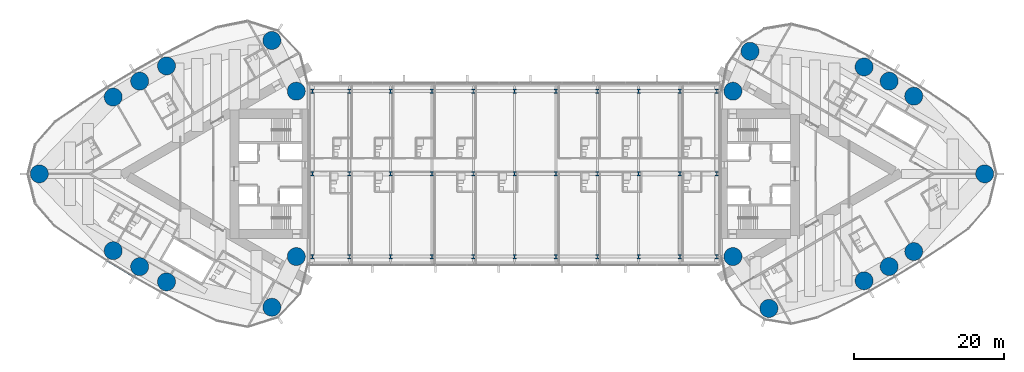
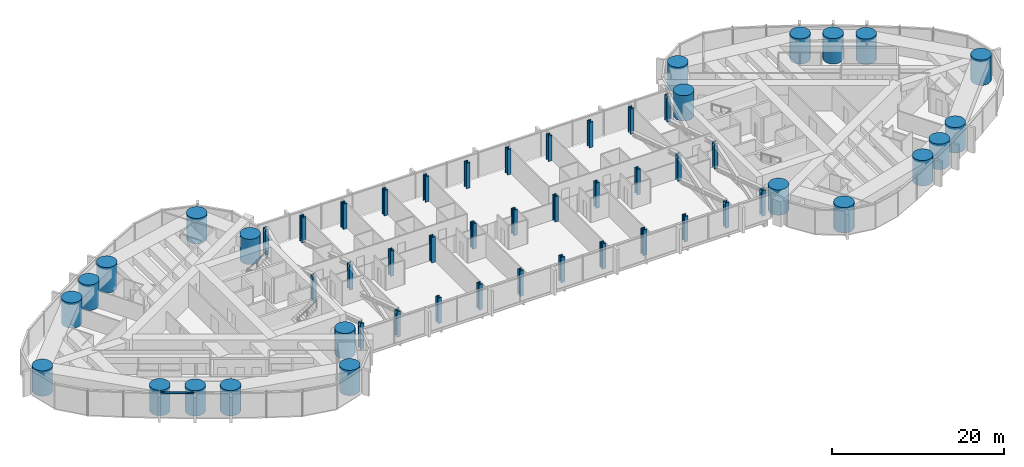
# One storey, part 1 of 22: 55 columns, 1 member, 1 element without a shape of its own.
"""IFC4 building model written with IfcOpenShell, lengths in metres."""

from ifc_helpers import new_model, si_unit, direction, frame, origin, origin_2d, place, context, subcontext, project, spatial, rectangle, circle, i_section, extrude, material, material_profile, profile_set, type_object, element, aggregate, save


model = new_model("IFC4")

# Units and contexts
model_context = context("Model", 3, precision=1e-05, world=origin(), true_north=direction((0.0, 1.0)))
body_context = subcontext(model_context, "Body", "Model", "MODEL_VIEW")
ifc_project = project(units=[si_unit("LENGTHUNIT", "METRE"), si_unit("AREAUNIT", "SQUARE_METRE"), si_unit("VOLUMEUNIT", "CUBIC_METRE"), si_unit("PLANEANGLEUNIT", "RADIAN"), si_unit("MASSUNIT", "GRAM", prefix="KILO")], contexts=[model_context])

# Site, building, storey
site_placement = place(None, origin())
site = spatial("IfcSite", under=ifc_project, at=site_placement, CompositionType="ELEMENT")
building_placement = place(site_placement, origin())
building = spatial("IfcBuilding", under=site, at=building_placement, Name="Lancet Gate Hotel", CompositionType="ELEMENT")
storey_placement = place(building_placement, frame((0.0, 0.0, 226.10009765625)))
storey = spatial("IfcBuildingStorey", under=building, at=storey_placement, Name="L60", CompositionType="ELEMENT", Elevation=226.10009765625)

# Columns
ifc_material_1 = material(Name="Steel S460", Category="steel")
ifc_material_profile_1 = material_profile(ifc_material_1, i_section(OverallWidth=0.47607421875, OverallDepth=0.60009765625, WebThickness=0.10009765625, FlangeThickness=0.139892578125, FilletRadius=0.02001953125, at=origin_2d()), Name="HD 400x1299")
ifc_profile_set_1 = profile_set([ifc_material_profile_1], Name="Steel S460")
column_type_1 = type_object("IfcColumnType", Name="Block column HD 400x1299", PredefinedType="COLUMN", material=ifc_profile_set_1)
for number, where, z_axis, x_axis, name in (
    (1, (-26.89990234375, -11.0, 0.0), (0.0, 0.0, 1.0), (1.0, 0.0, 0.0), "Block column S0 L60"),
    (2, (-22.0, -11.0, 0.0), (0.0, 0.0, 1.0), (1.0, 0.0, 0.0), "Block column S1 L60"),
    (3, (-16.5, -11.0, 0.0), (0.0, 0.0, 1.0), (1.0, 0.0, 0.0), "Block column S2 L60"),
    (4, (-11.0, -11.0, 0.0), (0.0, 0.0, 1.0), (1.0, 0.0, 0.0), "Block column S3 L60"),
    (5, (-5.5, -11.0, 0.0), (0.0, 0.0, 1.0), (1.0, 0.0, 0.0), "Block column S4 L60"),
    (6, (0.0, -11.0, 0.0), (0.0, 0.0, 1.0), (1.0, 0.0, 0.0), "Block column S5 L60"),
    (7, (5.5, -11.0, 0.0), (0.0, 0.0, 1.0), (1.0, 0.0, 0.0), "Block column S6 L60"),
    (8, (11.0, -11.0, 0.0), (0.0, 0.0, 1.0), (1.0, 0.0, 0.0), "Block column S7 L60"),
    (9, (16.5, -11.0, 0.0), (0.0, 0.0, 1.0), (1.0, 0.0, 0.0), "Block column S8 L60"),
    (10, (22.0, -11.0, 0.0), (0.0, 0.0, 1.0), (1.0, 0.0, 0.0), "Block column S9 L60"),
    (11, (26.89990234375, -11.0, 0.0), (0.0, 0.0, 1.0), (1.0, 0.0, 0.0), "Block column S10 L60"),
    (12, (-26.89990234375, 0.0, 0.0), (0.0, 0.0, 1.0), (1.0, 0.0, 0.0), "Block column M0 L60"),
    (13, (-22.0, 0.0, 0.0), (0.0, 0.0, 1.0), (1.0, 0.0, 0.0), "Block column M1 L60"),
    (14, (-16.5, 0.0, 0.0), (0.0, 0.0, 1.0), (1.0, 0.0, 0.0), "Block column M2 L60"),
    (15, (-11.0, 0.0, 0.0), (0.0, 0.0, 1.0), (1.0, 0.0, 0.0), "Block column M3 L60"),
    (16, (-5.5, 0.0, 0.0), (0.0, 0.0, 1.0), (1.0, 0.0, 0.0), "Block column M4 L60"),
    (17, (0.0, 0.0, 0.0), (0.0, 0.0, 1.0), (1.0, 0.0, 0.0), "Block column M5 L60"),
    (18, (5.5, 0.0, 0.0), (0.0, 0.0, 1.0), (1.0, 0.0, 0.0), "Block column M6 L60"),
    (19, (11.0, 0.0, 0.0), (0.0, 0.0, 1.0), (1.0, 0.0, 0.0), "Block column M7 L60"),
    (20, (16.5, 0.0, 0.0), (0.0, 0.0, 1.0), (1.0, 0.0, 0.0), "Block column M8 L60"),
    (21, (22.0, 0.0, 0.0), (0.0, 0.0, 1.0), (1.0, 0.0, 0.0), "Block column M9 L60"),
    (22, (26.89990234375, 0.0, 0.0), (0.0, 0.0, 1.0), (1.0, 0.0, 0.0), "Block column M10 L60"),
    (23, (-26.89990234375, 11.0, 0.0), (0.0, 0.0, 1.0), (1.0, 0.0, 0.0), "Block column N0 L60"),
    (24, (-22.0, 11.0, 0.0), (0.0, 0.0, 1.0), (1.0, 0.0, 0.0), "Block column N1 L60"),
    (25, (-16.5, 11.0, 0.0), (0.0, 0.0, 1.0), (1.0, 0.0, 0.0), "Block column N2 L60"),
    (26, (-11.0, 11.0, 0.0), (0.0, 0.0, 1.0), (1.0, 0.0, 0.0), "Block column N3 L60"),
    (27, (-5.5, 11.0, 0.0), (0.0, 0.0, 1.0), (1.0, 0.0, 0.0), "Block column N4 L60"),
    (28, (0.0, 11.0, 0.0), (0.0, 0.0, 1.0), (1.0, 0.0, 0.0), "Block column N5 L60"),
    (29, (5.5, 11.0, 0.0), (0.0, 0.0, 1.0), (1.0, 0.0, 0.0), "Block column N6 L60"),
    (30, (11.0, 11.0, 0.0), (0.0, 0.0, 1.0), (1.0, 0.0, 0.0), "Block column N7 L60"),
    (31, (16.5, 11.0, 0.0), (0.0, 0.0, 1.0), (1.0, 0.0, 0.0), "Block column N8 L60"),
    (32, (22.0, 11.0, 0.0), (0.0, 0.0, 1.0), (1.0, 0.0, 0.0), "Block column N9 L60"),
    (33, (26.89990234375, 11.0, 0.0), (0.0, 0.0, 1.0), (1.0, 0.0, 0.0), "Block column N10 L60"),
):
    element("IfcColumn", number, at=place(storey_placement, frame(where, z_axis=z_axis, x_axis=x_axis)), inside=storey, type_object=column_type_1, Name=name, PredefinedType="COLUMN", context=body_context, shape_type="SweptSolid", body=[
        extrude(i_section(OverallWidth=0.47607421875, OverallDepth=0.60009765625, WebThickness=0.10009765625, FlangeThickness=0.139892578125, FilletRadius=0.02001953125, at=origin_2d()), origin(), (0.0, 0.0, 1.0), 3.599853515625),
    ])
ifc_material_2 = material(Name="Concrete C50/60", Category="concrete")
ifc_material_profile_2 = material_profile(ifc_material_2, circle(Radius=1.199951171875, at=origin_2d()), Name="RC D2400")
ifc_profile_set_2 = profile_set([ifc_material_profile_2], Name="Concrete C50/60")
column_type_2 = type_object("IfcColumnType", Name="Perimeter column RC D2400", PredefinedType="COLUMN", material=ifc_profile_set_2)
for number, where, z_axis, x_axis, name in (
    (34, (-63.234375, 0.0, 0.0), (0.0, 0.0, 1.0), (1.0, 0.0, 0.0), "T1 column CA L60"),
    (35, (-32.301025390625, -17.745361328125, 0.0), (0.0, 0.0, 1.0), (1.0, 0.0, 0.0), "T1 column CN L60"),
    (36, (-32.301025390625, 17.745361328125, 0.0), (0.0, 0.0, 1.0), (1.0, 0.0, 0.0), "T1 column CS L60"),
    (37, (-29.050048828125, -11.0, 0.0), (0.0, 0.0, 1.0), (1.0, 0.0, 0.0), "T1 column IN L60"),
    (38, (-29.050048828125, 11.0, 0.0), (0.0, 0.0, 1.0), (1.0, 0.0, 0.0), "T1 column IS L60"),
    (39, (-53.40771484375, -10.218994140625, 0.0), (0.0, 0.0, 1.0), (1.0, 0.0, 0.0), "T1 column ON1 L60"),
    (40, (-49.89013671875, -12.340087890625, 0.0), (0.0, 0.0, 1.0), (1.0, 0.0, 0.0), "T1 column ON2 L60"),
    (41, (-46.316650390625, -14.365478515625, 0.0), (0.0, 0.0, 1.0), (1.0, 0.0, 0.0), "T1 column ON3 L60"),
    (42, (-46.316650390625, 14.365478515625, 0.0), (0.0, 0.0, 1.0), (1.0, 0.0, 0.0), "T1 column OS1 L60"),
    (43, (-49.89013671875, 12.340087890625, 0.0), (0.0, 0.0, 1.0), (1.0, 0.0, 0.0), "T1 column OS2 L60"),
    (44, (-53.40771484375, 10.218994140625, 0.0), (0.0, 0.0, 1.0), (1.0, 0.0, 0.0), "T1 column OS3 L60"),
    (45, (62.54150390625, 0.0, 0.0), (0.0, 0.0, 1.0), (1.0, 0.0, 0.0), "T2 column CA L60"),
    (46, (31.328369140625, 16.310791015625, 0.0), (0.0, 0.0, 1.0), (1.0, 0.0, 0.0), "T2 column CN L60"),
    (47, (33.837158203125, -17.906005859375, 0.0), (0.0, 0.0, 1.0), (1.0, 0.0, 0.0), "T2 column CS L60"),
    (48, (29.050048828125, 11.0, 0.0), (0.0, 0.0, 1.0), (1.0, 0.0, 0.0), "T2 column IN L60"),
    (49, (29.050048828125, -11.0, 0.0), (0.0, 0.0, 1.0), (1.0, 0.0, 0.0), "T2 column IS L60"),
    (50, (53.107666015625, 10.333984375, 0.0), (0.0, 0.0, 1.0), (1.0, 0.0, 0.0), "T2 column ON1 L60"),
    (51, (49.833984375, 12.331787109375, 0.0), (0.0, 0.0, 1.0), (1.0, 0.0, 0.0), "T2 column ON2 L60"),
    (52, (46.499267578125, 14.2255859375, 0.0), (0.0, 0.0, 1.0), (1.0, 0.0, 0.0), "T2 column ON3 L60"),
    (53, (46.499267578125, -14.2255859375, 0.0), (0.0, 0.0, 1.0), (1.0, 0.0, 0.0), "T2 column OS1 L60"),
    (54, (49.833984375, -12.331787109375, 0.0), (0.0, 0.0, 1.0), (1.0, 0.0, 0.0), "T2 column OS2 L60"),
    (55, (53.107666015625, -10.333984375, 0.0), (0.0, 0.0, 1.0), (1.0, 0.0, 0.0), "T2 column OS3 L60"),
):
    element("IfcColumn", number, at=place(storey_placement, frame(where, z_axis=z_axis, x_axis=x_axis)), inside=storey, type_object=column_type_2, Name=name, PredefinedType="COLUMN", context=body_context, shape_type="SweptSolid", body=[
        extrude(circle(Radius=1.199951171875, at=origin_2d()), origin(), (0.0, 0.0, 1.0), 3.599853515625),
    ])

# Curtain wall, member
ifc_material_3 = material(Name="Aluminium curtain wall", Category="aluminium")
curtain_wall_type = type_object("IfcCurtainWallType", Name="Tower unitised curtain wall", PredefinedType="USERDEFINED", material=ifc_material_3)
curtain_wall_placement = place(storey_placement, origin())
curtain_wall = element("IfcCurtainWall", 56, at=curtain_wall_placement, inside=storey, type_object=curtain_wall_type, Name="T1 L60 curtain wall 1", ObjectType="UNITISED CURTAIN WALL", PredefinedType="USERDEFINED")
ifc_material_4 = material(Name="Aluminium transom", Category="aluminium")
ifc_material_profile_3 = material_profile(ifc_material_4, rectangle(XDim=0.25, YDim=0.14990234375, at=origin_2d()), Name="TRANSOM 250x150")
ifc_profile_set_3 = profile_set([ifc_material_profile_3], Name="Aluminium transom")
member_type = type_object("IfcMemberType", Name="Aluminium transom 250x150", PredefinedType="USERDEFINED", material=ifc_profile_set_3)
member_placement = place(storey_placement, frame((-54.197998046875, -11.55224609375, 3.52490234375), z_axis=(0.856362214892, -0.516375596737, 0.0), x_axis=(0.516375596737, 0.856362214892, 0.0)))
member = element("IfcMember", 57, at=member_placement, type_object=member_type, Name="T1 L60 curtain wall 1 transom 17", ObjectType="TRANSOM", PredefinedType="USERDEFINED", context=body_context, shape_type="SweptSolid", body=[
    extrude(rectangle(XDim=0.25, YDim=0.14990234375, at=origin_2d()), origin(), (0.0, 0.0, 1.0), 4.08447265625),
])
aggregate(curtain_wall, [member])

save(model, "model.ifc")
